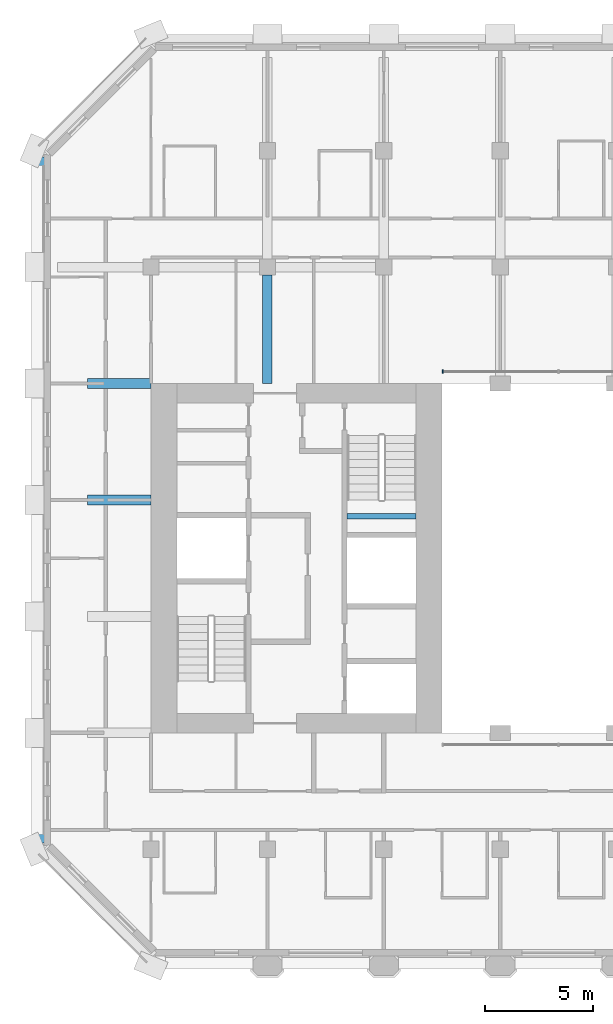
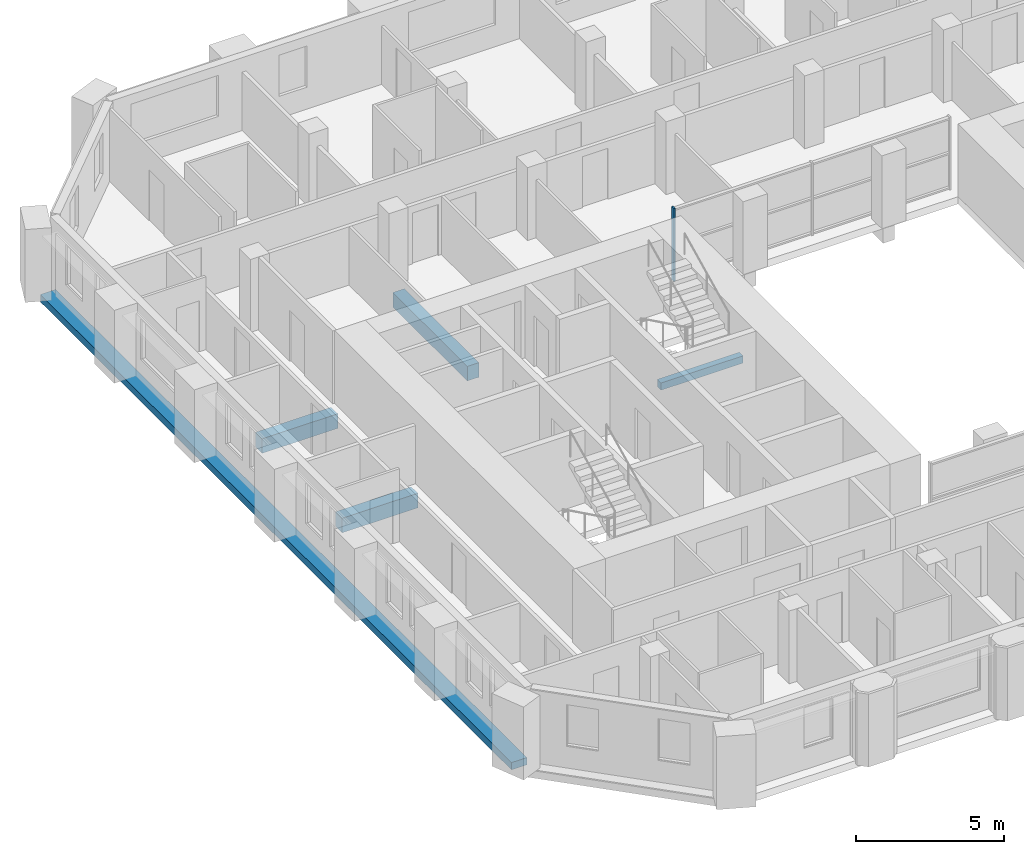
# One storey, part 3 of 13: 5 beams, 1 member, 1 element without a shape of its own.
"""IFC4 building model written with IfcOpenShell, lengths in metres."""

from ifc_helpers import new_model, si_unit, direction, frame, origin, origin_2d, place, context, subcontext, project, spatial, rectangle, extrude, material, material_profile, profile_set, type_object, element, aggregate, save


model = new_model("IFC4")

# Units and contexts
model_context = context("Model", 3, precision=1e-05, world=origin(), true_north=direction((0.0, 1.0)))
body_context = subcontext(model_context, "Body", "Model", "MODEL_VIEW")
ifc_project = project(units=[si_unit("LENGTHUNIT", "METRE"), si_unit("AREAUNIT", "SQUARE_METRE"), si_unit("VOLUMEUNIT", "CUBIC_METRE"), si_unit("PLANEANGLEUNIT", "RADIAN"), si_unit("MASSUNIT", "GRAM", prefix="KILO")], contexts=[model_context])

# Site, building, storey
site_placement = place(None, origin())
site = spatial("IfcSite", under=ifc_project, at=site_placement, CompositionType="ELEMENT")
building_placement = place(site_placement, origin())
building = spatial("IfcBuilding", under=site, at=building_placement, Name="Tabaq Tower and Sports Hall", CompositionType="ELEMENT")
storey_placement = place(building_placement, frame((0.0, 0.0, 210.39990234375)))
storey = spatial("IfcBuildingStorey", under=building, at=storey_placement, Name="L52", CompositionType="ELEMENT", Elevation=210.39990234375)

# Curtain wall, member
ifc_material_1 = material(Name="Aluminium alloy 6063-T6 framed glazing", Category="aluminium")
curtain_wall_type = type_object("IfcCurtainWallType", Name="CW1 curtain wall", PredefinedType="USERDEFINED", material=ifc_material_1)
curtain_wall_placement = place(storey_placement, origin())
curtain_wall = element("IfcCurtainWall", 1, at=curtain_wall_placement, inside=storey, type_object=curtain_wall_type, Name="Atrium glazing L52 N", ObjectType="ATRIUM ENCLOSURE", PredefinedType="USERDEFINED")
ifc_material_2 = material(Name="Aluminium alloy 6063-T6", Category="aluminium")
ifc_material_profile_1 = material_profile(ifc_material_2, rectangle(XDim=0.159912109375, YDim=0.06005859375, at=origin_2d()), Name="MULLION 160x60")
ifc_profile_set_1 = profile_set([ifc_material_profile_1], Name="Aluminium alloy 6063-T6")
member_type = type_object("IfcMemberType", Name="CW1 mullion 160x60", PredefinedType="MULLION", material=ifc_profile_set_1)
member_placement = place(storey_placement, frame((18.929931640625, 32.949951171875, 0.0), z_axis=(0.0, 0.0, 1.0), x_axis=(0.0, 1.0, 0.0)))
member = element("IfcMember", 2, at=member_placement, type_object=member_type, Name="CW1 mullion 1", PredefinedType="MULLION", context=body_context, shape_type="SweptSolid", body=[
    extrude(rectangle(XDim=0.159912109375, YDim=0.06005859375, at=origin_2d()), origin(), (0.0, 0.0, 1.0), 3.0),
])
aggregate(curtain_wall, [member])

# Beams
ifc_material_3 = material(Name="Concrete C40/50", Category="concrete")
ifc_material_profile_2 = material_profile(ifc_material_3, rectangle(XDim=0.449951171875, YDim=0.60009765625, at=origin_2d()), Name="CB 450x600")
ifc_profile_set_2 = profile_set([ifc_material_profile_2], Name="Concrete C40/50")
beam_type_1 = type_object("IfcBeamType", Name="PT CANTILEVER BEAM CB 450x600 C40/50", PredefinedType="BEAM", material=ifc_profile_set_2)
for number, where, z_axis, x_axis, name in (
    (3, (2.449951171875, 27.0, -0.599853515625), (1.0, 0.0, 0.0), (0.0, 1.0, 0.0), "Cantilever Beam L52 W5 span 1"),
    (4, (2.449951171875, 32.39990234375, -0.599853515625), (1.0, 0.0, 0.0), (0.0, 1.0, 0.0), "Cantilever Beam L52 W6 span 1"),
):
    element("IfcBeam", number, at=place(storey_placement, frame(where, z_axis=z_axis, x_axis=x_axis)), inside=storey, type_object=beam_type_1, Name=name, PredefinedType="BEAM", context=body_context, shape_type="SweptSolid", body=[
        extrude(rectangle(XDim=0.449951171875, YDim=0.60009765625, at=origin_2d()), origin(), (0.0, 0.0, 1.0), 2.949951171875),
    ])
beam_1_placement = place(storey_placement, frame((10.800048828125, 37.425048828125, -0.599853515625), z_axis=(0.0, -1.0, 0.0), x_axis=(1.0, 0.0, 0.0)))
element("IfcBeam", 5, at=beam_1_placement, inside=storey, type_object=beam_type_1, Name="Cantilever Beam L52 N2 span 3", PredefinedType="BEAM", context=body_context, shape_type="SweptSolid", body=[
    extrude(rectangle(XDim=0.449951171875, YDim=0.60009765625, at=origin_2d()), origin(), (0.0, 0.0, 1.0), 5.025146484375),
])
ifc_material_4 = material(Name="Concrete C40/50", Category="concrete")
ifc_material_profile_3 = material_profile(ifc_material_4, rectangle(XDim=0.60009765625, YDim=0.300048828125, at=origin_2d()), Name="EB 600x300")
ifc_profile_set_3 = profile_set([ifc_material_profile_3], Name="Concrete C40/50")
beam_type_2 = type_object("IfcBeamType", Name="PT EDGE BEAM EB 600x300 C40/50", PredefinedType="SPANDREL", material=ifc_profile_set_3)
beam_2_placement = place(storey_placement, frame((0.300048828125, 42.9013671875, -0.14990234375), z_axis=(0.0, -1.0, 0.0), x_axis=(1.0, 0.0, 0.0)))
element("IfcBeam", 6, at=beam_2_placement, inside=storey, type_object=beam_type_2, Name="Edge Beam L52 4", PredefinedType="SPANDREL", context=body_context, shape_type="SweptSolid", body=[
    extrude(rectangle(XDim=0.60009765625, YDim=0.300048828125, at=origin_2d()), origin(), (0.0, 0.0, 1.0), 31.802734375),
])
ifc_material_5 = material(Name="Concrete C40/50", Category="concrete")
ifc_material_profile_4 = material_profile(ifc_material_5, rectangle(XDim=0.25, YDim=0.300048828125, at=origin_2d()), Name="RC 250x300")
ifc_profile_set_4 = profile_set([ifc_material_profile_4], Name="Concrete C40/50")
beam_type_3 = type_object("IfcBeamType", Name="Stair landing beam 250x300", PredefinedType="BEAM", material=ifc_profile_set_4)
beam_3_placement = place(storey_placement, frame((14.5, 26.25, 1.300048828125), z_axis=(1.0, 0.0, 0.0), x_axis=(0.0, 1.0, 0.0)))
element("IfcBeam", 7, at=beam_3_placement, inside=storey, type_object=beam_type_3, Name="L52 ST2 landing beam 1", PredefinedType="BEAM", context=body_context, shape_type="SweptSolid", body=[
    extrude(rectangle(XDim=0.25, YDim=0.300048828125, at=origin_2d()), origin(), (0.0, 0.0, 1.0), 3.199951171875),
])

save(model, "model.ifc")
